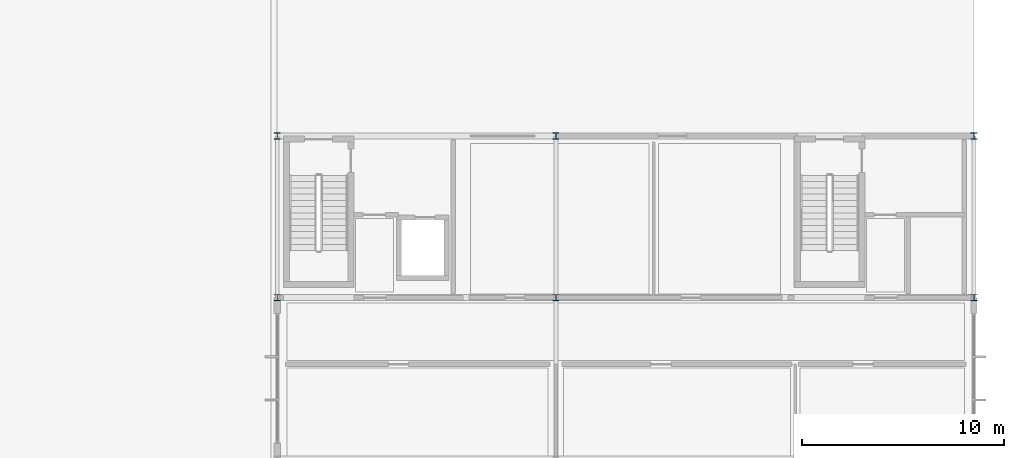
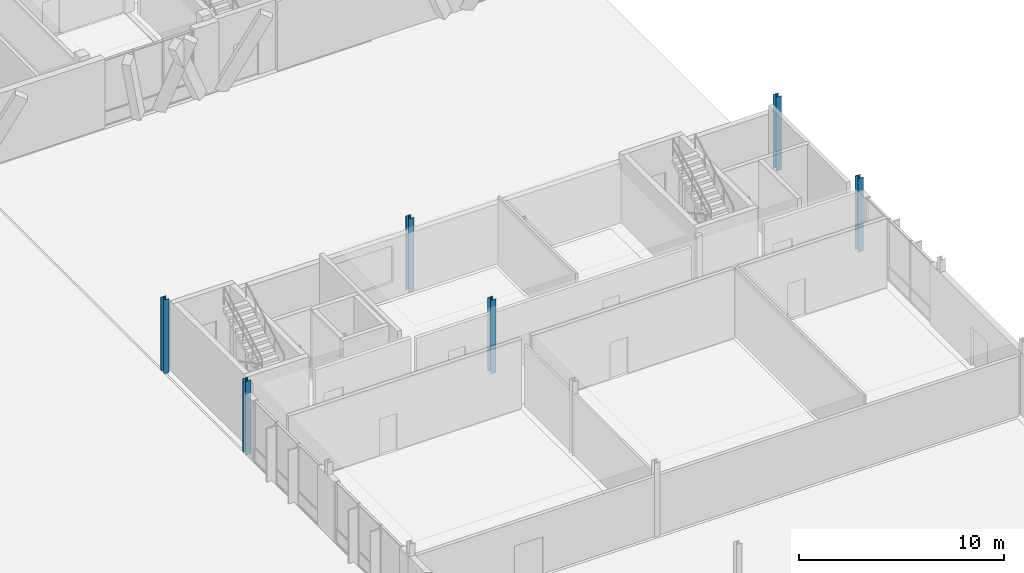
# One storey, part 16 of 233: 6 columns.
"""IFC4 building model written with IfcOpenShell, lengths in metres."""

from ifc_helpers import new_model, si_unit, direction, frame, origin, origin_2d, place, context, subcontext, project, spatial, i_section, extrude, material, material_profile, profile_set, type_object, element, save


model = new_model("IFC4")

# Units and contexts
model_context = context("Model", 3, precision=1e-05, world=origin(), true_north=direction((0.0, 1.0)))
body_context = subcontext(model_context, "Body", "Model", "MODEL_VIEW")
ifc_project = project(units=[si_unit("LENGTHUNIT", "METRE"), si_unit("AREAUNIT", "SQUARE_METRE"), si_unit("VOLUMEUNIT", "CUBIC_METRE"), si_unit("PLANEANGLEUNIT", "RADIAN"), si_unit("MASSUNIT", "GRAM", prefix="KILO")], contexts=[model_context])

# Site, building, storey
site_placement = place(None, origin())
site = spatial("IfcSite", under=ifc_project, at=site_placement, CompositionType="ELEMENT")
building_placement = place(site_placement, origin())
building = spatial("IfcBuilding", under=site, at=building_placement, Name="Zavelmont Quarter", CompositionType="ELEMENT")
storey_placement = place(building_placement, origin())
storey = spatial("IfcBuildingStorey", under=building, at=storey_placement, Name="L00", CompositionType="ELEMENT", Elevation=0.0)

# Columns
ifc_material = material(Name="Steel S355", Category="steel")
ifc_material_profile = material_profile(ifc_material, i_section(OverallWidth=0.300048828125, OverallDepth=0.300048828125, WebThickness=0.010986328125, FlangeThickness=0.01904296875, at=origin_2d()), Name="HEB 300")
ifc_profile_set = profile_set([ifc_material_profile], Name="Steel S355")
column_type = type_object("IfcColumnType", Name="CL10", PredefinedType="COLUMN", material=ifc_profile_set)
for number, where, z_axis, x_axis, name in (
    (1, (133.5, 70.0, 0.0), (0.0, 0.0, 1.0), (1.0, 0.0, 0.0), "L00 column CL10 at 20/L"),
    (2, (133.5, 78.0, 0.0), (0.0, 0.0, 1.0), (1.0, 0.0, 0.0), "L00 column CL10 at 20/M"),
    (3, (147.300048828125, 70.0, 0.0), (0.0, 0.0, 1.0), (1.0, 0.0, 0.0), "L00 column CL10 at 22/L"),
    (4, (147.300048828125, 78.0, 0.0), (0.0, 0.0, 1.0), (1.0, 0.0, 0.0), "L00 column CL10 at 22/M"),
    (5, (168.0, 70.0, 0.0), (0.0, 0.0, 1.0), (1.0, 0.0, 0.0), "L00 column CL10 at 25/L"),
    (6, (168.0, 78.0, 0.0), (0.0, 0.0, 1.0), (1.0, 0.0, 0.0), "L00 column CL10 at 25/M"),
):
    element("IfcColumn", number, at=place(storey_placement, frame(where, z_axis=z_axis, x_axis=x_axis)), inside=storey, type_object=column_type, Name=name, PredefinedType="COLUMN", context=body_context, shape_type="SweptSolid", body=[
        extrude(i_section(OverallWidth=0.300048828125, OverallDepth=0.300048828125, WebThickness=0.010986328125, FlangeThickness=0.01904296875, at=origin_2d()), origin(), (0.0, 0.0, 1.0), 4.39990234375),
    ])

save(model, "model.ifc")
